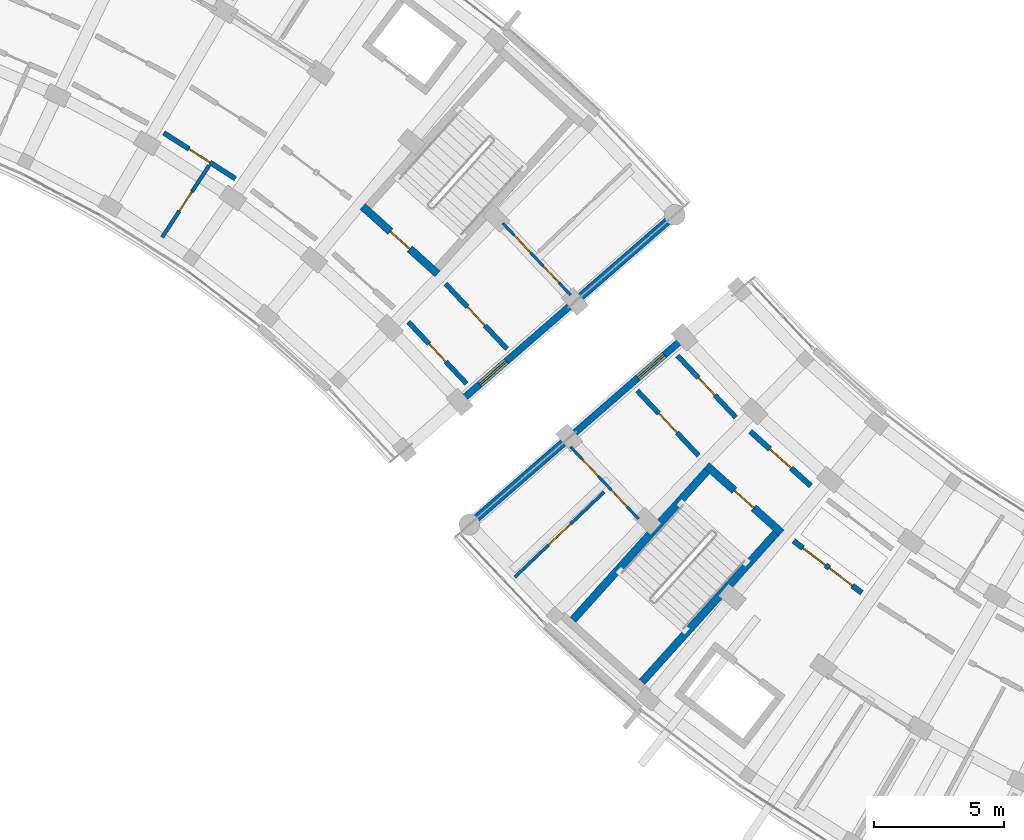
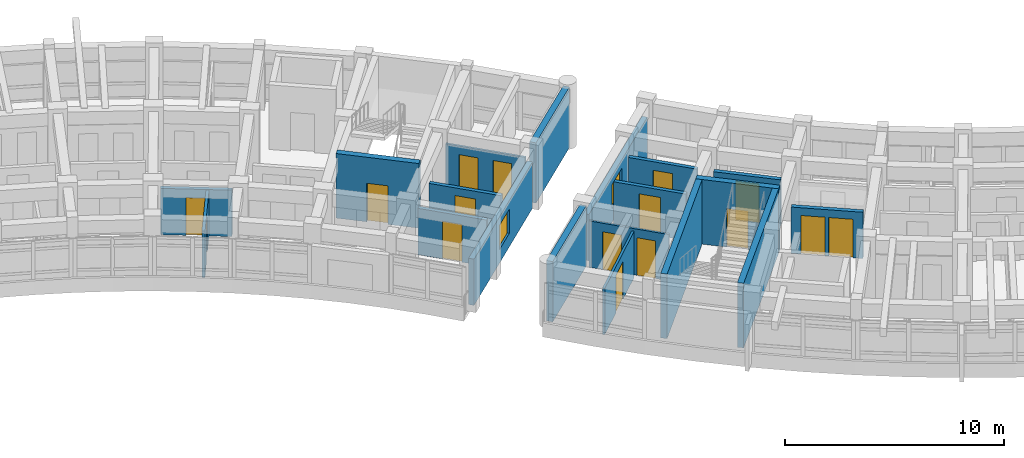
# One storey, part 63 of 83: 19 walls, 16 doors, 2 windows, 18 openings.
"""IFC4 building model written with IfcOpenShell, lengths in metres."""

from ifc_helpers import new_model, si_unit, direction, frame, frame_2d, origin, place, context, subcontext, project, spatial, rectangle, extrude, material, layer, layer_set, type_object, element, fill, save


model = new_model("IFC4")

# Units and contexts
model_context = context("Model", 3, precision=1e-05, world=origin(), true_north=direction((0.0, 1.0)))
body_context = subcontext(model_context, "Body", "Model", "MODEL_VIEW")
ifc_project = project(units=[si_unit("LENGTHUNIT", "METRE"), si_unit("AREAUNIT", "SQUARE_METRE"), si_unit("VOLUMEUNIT", "CUBIC_METRE"), si_unit("PLANEANGLEUNIT", "RADIAN"), si_unit("MASSUNIT", "GRAM", prefix="KILO")], contexts=[model_context])

# Site, building, storey
site_placement = place(None, origin())
site = spatial("IfcSite", under=ifc_project, at=site_placement, CompositionType="ELEMENT")
building_placement = place(site_placement, origin())
building = spatial("IfcBuilding", under=site, at=building_placement, Name="Zimvara Arc Housing Community", CompositionType="ELEMENT")
storey_placement = place(building_placement, frame((0.0, 0.0, 4.5)))
storey = spatial("IfcBuildingStorey", under=building, at=storey_placement, Name="L01", CompositionType="ELEMENT", Elevation=4.5)

# Wall, opening, window
ifc_material_1 = material(Name="Board-Marked Fair-Faced Concrete C35/45", Category="concrete")
ifc_layer_1 = layer(ifc_material_1, 0.264892578125)
ifc_layer_set_1 = layer_set([ifc_layer_1], Name="Board-Marked Fair-Faced Concrete C35/45")
wall_type_1 = type_object("IfcWallType", Name="EWL-CONC-265", PredefinedType="SOLIDWALL", material=ifc_layer_set_1)
wall_1_placement = place(storey_placement, frame((79.233642578125, 74.2587890625, 0.0), z_axis=(0.0, 0.0, 1.0), x_axis=(0.754717680958, 0.656049710044, 0.0)))
wall_1 = element("IfcWall", 1, at=wall_1_placement, inside=storey, type_object=wall_type_1, Name="ewall:blkB:L01:gN", PredefinedType="SOLIDWALL", context=body_context, shape_type="SweptSolid", body=[
    extrude(rectangle(XDim=8.199951171875, YDim=0.264892578125, at=frame_2d((4.10009765625, 0.0))), origin(), (0.0, 0.0, 1.0), 2.580078125),
])
opening_1_placement = place(wall_1_placement, frame((3.590087890625, 0.0, 0.75)))
opening_1 = element("IfcOpeningElement", 2, at=opening_1_placement, cuts=wall_1, Name="Opening W12", PredefinedType="OPENING", context=body_context, shape_type="SweptSolid", body=[
    extrude(rectangle(XDim=1.35009765625, YDim=1.35009765625, at=frame_2d((0.675048828125, 0.675048828125))), frame((0.0, 0.142333984375, 0.0), z_axis=(0.0, -1.0, 0.0), x_axis=(1.0, 0.0, 0.0)), (0.0, 0.0, 1.0), 0.284912109375),
])
ifc_material_2 = material(Name="Solar Control Low-E Double Glazing", Category="glass")
window_type = type_object("IfcWindowType", Name="WIN-RES-1350x1350", PartitioningType="DOUBLE_PANEL_VERTICAL", PredefinedType="WINDOW", material=ifc_material_2)
window_1_placement = place(opening_1_placement, origin())
window_1 = element("IfcWindow", 3, at=window_1_placement, inside=storey, type_object=window_type, Name="win:blkB:L01:gN:w", OverallHeight=1.35009765625, OverallWidth=1.35009765625, PartitioningType="DOUBLE_PANEL_VERTICAL", PredefinedType="WINDOW", context=body_context, shape_type="SweptSolid", body=[
    extrude(rectangle(XDim=1.35009765625, YDim=1.35009765625, at=frame_2d((0.675048828125, 0.675048828125))), frame((0.0, 0.030029296875, 0.0), z_axis=(0.0, -1.0, 0.0), x_axis=(1.0, 0.0, 0.0)), (0.0, 0.0, 1.0), 0.06005859375),
])
fill(opening_1, window_1)

wall_2_placement = place(storey_placement, frame((91.746337890625, 80.10107421875, 0.0), z_axis=(0.0, 0.0, 1.0), x_axis=(-0.754704866158, -0.656064451862, 0.0)))
wall_2 = element("IfcWall", 4, at=wall_2_placement, inside=storey, type_object=wall_type_1, Name="ewall:blkC:L01:g0", PredefinedType="SOLIDWALL", context=body_context, shape_type="SweptSolid", body=[
    extrude(rectangle(XDim=8.199951171875, YDim=0.264892578125, at=frame_2d((4.10009765625, 0.0))), origin(), (0.0, 0.0, 1.0), 2.580078125),
])
opening_2_placement = place(wall_2_placement, frame((3.590087890625, 0.0, 0.75)))
opening_2 = element("IfcOpeningElement", 5, at=opening_2_placement, cuts=wall_2, Name="Opening W12", PredefinedType="OPENING", context=body_context, shape_type="SweptSolid", body=[
    extrude(rectangle(XDim=1.35009765625, YDim=1.35009765625, at=frame_2d((0.675048828125, 0.675048828125))), frame((0.0, 0.142333984375, 0.0), z_axis=(0.0, -1.0, 0.0), x_axis=(1.0, 0.0, 0.0)), (0.0, 0.0, 1.0), 0.284912109375),
])
window_2_placement = place(opening_2_placement, origin())
window_2 = element("IfcWindow", 6, at=window_2_placement, inside=storey, type_object=window_type, Name="win:blkC:L01:g0:w", OverallHeight=1.35009765625, OverallWidth=1.35009765625, PartitioningType="DOUBLE_PANEL_VERTICAL", PredefinedType="WINDOW", context=body_context, shape_type="SweptSolid", body=[
    extrude(rectangle(XDim=1.35009765625, YDim=1.35009765625, at=frame_2d((0.675048828125, 0.675048828125))), frame((0.0, 0.030029296875, 0.0), z_axis=(0.0, -1.0, 0.0), x_axis=(1.0, 0.0, 0.0)), (0.0, 0.0, 1.0), 0.06005859375),
])
fill(opening_2, window_2)

# Wall, opening, door
ifc_material_3 = material(Name="Concrete C35/45", Category="concrete")
ifc_layer_2 = layer(ifc_material_3, 0.2099609375)
ifc_layer_set_2 = layer_set([ifc_layer_2], Name="Concrete C35/45")
wall_type_2 = type_object("IfcWallType", Name="IWL-CCF-210", PredefinedType="SOLIDWALL", material=ifc_layer_set_2)
wall_3_placement = place(storey_placement, frame((92.337158203125, 74.808349609375, 0.0), z_axis=(0.0, 0.0, 1.0), x_axis=(0.743348465558, -0.668904371904, 0.0)))
wall_3 = element("IfcWall", 7, at=wall_3_placement, inside=storey, type_object=wall_type_2, Name="iwall:blkC:L01:ccf_div:b1", PredefinedType="SOLIDWALL", context=body_context, shape_type="SweptSolid", body=[
    extrude(rectangle(XDim=3.128662109375, YDim=0.2099609375, at=frame_2d((1.564453125, 0.0))), origin(), (0.0, 0.0, 1.0), 2.580078125),
])
opening_3_placement = place(wall_3_placement, frame((1.014404296875, 0.0, 0.0)))
opening_3 = element("IfcOpeningElement", 8, at=opening_3_placement, cuts=wall_3, Name="Opening FD-CCF1", PredefinedType="OPENING", context=body_context, shape_type="SweptSolid", body=[
    extrude(rectangle(XDim=1.10009765625, YDim=2.14990234375, at=frame_2d((0.550048828125, 1.074951171875))), frame((0.0, 0.114990234375, 0.0), z_axis=(0.0, -1.0, 0.0), x_axis=(1.0, 0.0, 0.0)), (0.0, 0.0, 1.0), 0.22998046875),
])
ifc_material_4 = material(Name="Anodised Aluminium AW-6063", Category="aluminium")
door_type_1 = type_object("IfcDoorType", Name="IDR-CCF-1100x2150", OperationType="NOTDEFINED", PredefinedType="DOOR", material=ifc_material_4)
door_1_placement = place(opening_3_placement, origin())
door_1 = element("IfcDoor", 9, at=door_1_placement, inside=storey, type_object=door_type_1, Name="idoor:blkC:L01:ccf_in:b1", OperationType="SINGLE_SWING_RIGHT", OverallHeight=2.14990234375, OverallWidth=1.10009765625, PredefinedType="DOOR", context=body_context, shape_type="SweptSolid", body=[
    extrude(rectangle(XDim=1.10009765625, YDim=2.14990234375, at=frame_2d((0.550048828125, 1.074951171875))), frame((0.0, 0.02490234375, 0.0), z_axis=(0.0, -1.0, 0.0), x_axis=(1.0, 0.0, 0.0)), (0.0, 0.0, 1.0), 0.050048828125),
])
fill(opening_3, door_1)

# Wall, openings, doors
wall_4_placement = place(storey_placement, frame((94.001220703125, 70.6015625, 0.0), z_axis=(0.0, 0.0, 1.0), x_axis=(0.795498026433, -0.605956178235, 0.0)))
wall_4 = element("IfcWall", 10, at=wall_4_placement, inside=storey, type_object=wall_type_2, Name="iwall:blkC:L01:ll_div:b2", PredefinedType="SOLIDWALL", context=body_context, shape_type="SweptSolid", body=[
    extrude(rectangle(XDim=3.296142578125, YDim=0.2099609375, at=frame_2d((1.64794921875, 0.0))), origin(), (0.0, 0.0, 1.0), 2.580078125),
])
opening_4_placement = place(wall_4_placement, frame((0.449951171875, 0.0, 0.0)))
opening_4 = element("IfcOpeningElement", 11, at=opening_4_placement, cuts=wall_4, Name="Opening FD-CCF1", PredefinedType="OPENING", context=body_context, shape_type="SweptSolid", body=[
    extrude(rectangle(XDim=1.10009765625, YDim=2.14990234375, at=frame_2d((0.550048828125, 1.074951171875))), frame((0.0, 0.114990234375, 0.0), z_axis=(0.0, -1.0, 0.0), x_axis=(1.0, 0.0, 0.0)), (0.0, 0.0, 1.0), 0.22998046875),
])
opening_5_placement = place(wall_4_placement, frame((1.72607421875, 0.0, 0.0)))
opening_5 = element("IfcOpeningElement", 12, at=opening_5_placement, cuts=wall_4, Name="Opening D07", PredefinedType="OPENING", context=body_context, shape_type="SweptSolid", body=[
    extrude(rectangle(XDim=1.1201171875, YDim=2.14990234375, at=frame_2d((0.56005859375, 1.074951171875))), frame((0.0, 0.114990234375, 0.0), z_axis=(0.0, -1.0, 0.0), x_axis=(1.0, 0.0, 0.0)), (0.0, 0.0, 1.0), 0.22998046875),
])
ifc_material_5 = material(Name="Mozambican Hardwood", Category="wood")
door_type_2 = type_object("IfcDoorType", Name="IDR-AMN-1120x2150", OperationType="NOTDEFINED", PredefinedType="DOOR", material=ifc_material_5)
door_2_placement = place(opening_5_placement, origin())
door_2 = element("IfcDoor", 13, at=door_2_placement, inside=storey, type_object=door_type_2, Name="idoor:blkC:L01:rs_in:b2", OperationType="SINGLE_SWING_RIGHT", OverallHeight=2.14990234375, OverallWidth=1.1201171875, PredefinedType="DOOR", context=body_context, shape_type="SweptSolid", body=[
    extrude(rectangle(XDim=1.1201171875, YDim=2.14990234375, at=frame_2d((0.56005859375, 1.074951171875))), frame((0.0, 0.02490234375, 0.0), z_axis=(0.0, -1.0, 0.0), x_axis=(1.0, 0.0, 0.0)), (0.0, 0.0, 1.0), 0.050048828125),
])
fill(opening_5, door_2)
door_3_placement = place(opening_4_placement, origin())
door_3 = element("IfcDoor", 14, at=door_3_placement, inside=storey, type_object=door_type_1, Name="idoor:blkC:L01:ll_in:b2", OperationType="SINGLE_SWING_LEFT", OverallHeight=2.14990234375, OverallWidth=1.10009765625, PredefinedType="DOOR", context=body_context, shape_type="SweptSolid", body=[
    extrude(rectangle(XDim=1.10009765625, YDim=2.14990234375, at=frame_2d((0.550048828125, 1.074951171875))), frame((0.0, 0.02490234375, 0.0), z_axis=(0.0, -1.0, 0.0), x_axis=(1.0, 0.0, 0.0)), (0.0, 0.0, 1.0), 0.050048828125),
])
fill(opening_4, door_3)

# Wall, opening, door
ifc_material_6 = material(Name="Concrete C35/45", Category="concrete")
ifc_layer_3 = layer(ifc_material_6, 0.18994140625)
ifc_layer_set_3 = layer_set([ifc_layer_3], Name="Concrete C35/45")
wall_type_3 = type_object("IfcWallType", Name="IWL-CORR-190", PredefinedType="SOLIDWALL", material=ifc_layer_set_3)
wall_5_placement = place(storey_placement, frame((69.80029296875, 86.281005859375, 0.0), z_axis=(0.0, 0.0, 1.0), x_axis=(0.842225276846, -0.539125758095, 0.0)))
wall_5 = element("IfcWall", 15, at=wall_5_placement, inside=storey, type_object=wall_type_3, Name="iwall:blkB:L01:corr_in:b6", PredefinedType="SOLIDWALL", context=body_context, shape_type="SweptSolid", body=[
    extrude(rectangle(XDim=3.2685546875, YDim=0.18994140625, at=frame_2d((1.63427734375, 0.0))), origin(), (0.0, 0.0, 1.0), 2.580078125),
])
opening_6_placement = place(wall_5_placement, frame((1.154296875, 0.0, 0.0)))
opening_6 = element("IfcOpeningElement", 16, at=opening_6_placement, cuts=wall_5, Name="Opening D04", PredefinedType="OPENING", context=body_context, shape_type="SweptSolid", body=[
    extrude(rectangle(XDim=0.9599609375, YDim=2.10009765625, at=frame_2d((0.47998046875, 1.050048828125))), frame((0.0, 0.10498046875, 0.0), z_axis=(0.0, -1.0, 0.0), x_axis=(1.0, 0.0, 0.0)), (0.0, 0.0, 1.0), 0.2099609375),
])
ifc_material_7 = material(Name="Mozambican Hardwood", Category="wood")
door_type_3 = type_object("IfcDoorType", Name="IDR-RM-0960x2100", OperationType="NOTDEFINED", PredefinedType="DOOR", material=ifc_material_7)
door_4_placement = place(opening_6_placement, origin())
door_4 = element("IfcDoor", 17, at=door_4_placement, inside=storey, type_object=door_type_3, Name="idoor:blkB:L01:in_rm:b6", OperationType="SINGLE_SWING_LEFT", OverallHeight=2.10009765625, OverallWidth=0.9599609375, PredefinedType="DOOR", context=body_context, shape_type="SweptSolid", body=[
    extrude(rectangle(XDim=0.9599609375, YDim=2.10009765625, at=frame_2d((0.47998046875, 1.050048828125))), frame((0.0, 0.02490234375, 0.0), z_axis=(0.0, -1.0, 0.0), x_axis=(1.0, 0.0, 0.0)), (0.0, 0.0, 1.0), 0.050048828125),
])
fill(opening_6, door_4)

wall_6_placement = place(storey_placement, frame((80.627685546875, 80.48291015625, 0.0), z_axis=(0.0, 0.0, 1.0), x_axis=(0.686310507227, -0.727308660522, 0.0)))
wall_6 = element("IfcWall", 18, at=wall_6_placement, inside=storey, type_object=wall_type_3, Name="iwall:blkB:L01:corr_out:b9", PredefinedType="SOLIDWALL", context=body_context, shape_type="SweptSolid", body=[
    extrude(rectangle(XDim=3.43603515625, YDim=0.18994140625, at=frame_2d((1.718017578125, 0.0))), origin(), (0.0, 0.0, 1.0), 2.580078125),
])
opening_7_placement = place(wall_6_placement, frame((1.22802734375, 0.0, 0.0)))
opening_7 = element("IfcOpeningElement", 19, at=opening_7_placement, cuts=wall_6, Name="Opening FD-FL1", PredefinedType="OPENING", context=body_context, shape_type="SweptSolid", body=[
    extrude(rectangle(XDim=0.97998046875, YDim=2.14990234375, at=frame_2d((0.489990234375, 1.074951171875))), frame((0.0, 0.10498046875, 0.0), z_axis=(0.0, -1.0, 0.0), x_axis=(1.0, 0.0, 0.0)), (0.0, 0.0, 1.0), 0.2099609375),
])
ifc_material_8 = material(Name="Mozambican Hardwood", Category="wood")
door_type_4 = type_object("IfcDoorType", Name="IDR-FLAT-0980x2150", OperationType="NOTDEFINED", PredefinedType="DOOR", material=ifc_material_8)
door_5_placement = place(opening_7_placement, origin())
door_5 = element("IfcDoor", 20, at=door_5_placement, inside=storey, type_object=door_type_4, Name="idoor:blkB:L01:flat:b9", OperationType="SINGLE_SWING_RIGHT", OverallHeight=2.14990234375, OverallWidth=0.97998046875, PredefinedType="DOOR", context=body_context, shape_type="SweptSolid", body=[
    extrude(rectangle(XDim=0.97998046875, YDim=2.14990234375, at=frame_2d((0.489990234375, 1.074951171875))), frame((0.0, 0.02490234375, 0.0), z_axis=(0.0, -1.0, 0.0), x_axis=(1.0, 0.0, 0.0)), (0.0, 0.0, 1.0), 0.050048828125),
])
fill(opening_7, door_5)

wall_7_placement = place(storey_placement, frame((79.1953125, 79.016357421875, 0.0), z_axis=(0.0, 0.0, 1.0), x_axis=(0.686307658735, -0.727311348434, 0.0)))
wall_7 = element("IfcWall", 21, at=wall_7_placement, inside=storey, type_object=wall_type_3, Name="iwall:blkB:L01:corr_in:b9", PredefinedType="SOLIDWALL", context=body_context, shape_type="SweptSolid", body=[
    extrude(rectangle(XDim=3.268798828125, YDim=0.18994140625, at=frame_2d((1.63427734375, 0.0))), origin(), (0.0, 0.0, 1.0), 2.580078125),
])
opening_8_placement = place(wall_7_placement, frame((1.164306640625, 0.0, 0.0)))
opening_8 = element("IfcOpeningElement", 22, at=opening_8_placement, cuts=wall_7, Name="Opening D03", PredefinedType="OPENING", context=body_context, shape_type="SweptSolid", body=[
    extrude(rectangle(XDim=0.93994140625, YDim=2.10009765625, at=frame_2d((0.469970703125, 1.050048828125))), frame((0.0, 0.10498046875, 0.0), z_axis=(0.0, -1.0, 0.0), x_axis=(1.0, 0.0, 0.0)), (0.0, 0.0, 1.0), 0.2099609375),
])
ifc_material_9 = material(Name="Mozambican Hardwood", Category="wood")
door_type_5 = type_object("IfcDoorType", Name="IDR-RM-0940x2100", OperationType="NOTDEFINED", PredefinedType="DOOR", material=ifc_material_9)
door_6_placement = place(opening_8_placement, origin())
door_6 = element("IfcDoor", 23, at=door_6_placement, inside=storey, type_object=door_type_5, Name="idoor:blkB:L01:in_rm:b9", OperationType="SINGLE_SWING_LEFT", OverallHeight=2.10009765625, OverallWidth=0.93994140625, PredefinedType="DOOR", context=body_context, shape_type="SweptSolid", body=[
    extrude(rectangle(XDim=0.93994140625, YDim=2.10009765625, at=frame_2d((0.469970703125, 1.050048828125))), frame((0.0, 0.02490234375, 0.0), z_axis=(0.0, -1.0, 0.0), x_axis=(1.0, 0.0, 0.0)), (0.0, 0.0, 1.0), 0.050048828125),
])
fill(opening_8, door_6)

wall_8_placement = place(storey_placement, frame((87.994140625, 76.3759765625, 0.0), z_axis=(0.0, 0.0, 1.0), x_axis=(0.686310507227, -0.727308660522, 0.0)))
wall_8 = element("IfcWall", 24, at=wall_8_placement, inside=storey, type_object=wall_type_3, Name="iwall:blkC:L01:corr_out:b0", PredefinedType="SOLIDWALL", context=body_context, shape_type="SweptSolid", body=[
    extrude(rectangle(XDim=3.43603515625, YDim=0.18994140625, at=frame_2d((1.718017578125, 0.0))), origin(), (0.0, 0.0, 1.0), 2.580078125),
])
opening_9_placement = place(wall_8_placement, frame((1.2080078125, 0.0, 0.0)))
opening_9 = element("IfcOpeningElement", 25, at=opening_9_placement, cuts=wall_8, Name="Opening FD-FL2", PredefinedType="OPENING", context=body_context, shape_type="SweptSolid", body=[
    extrude(rectangle(XDim=1.02001953125, YDim=2.14990234375, at=frame_2d((0.510009765625, 1.074951171875))), frame((0.0, 0.10498046875, 0.0), z_axis=(0.0, -1.0, 0.0), x_axis=(1.0, 0.0, 0.0)), (0.0, 0.0, 1.0), 0.2099609375),
])
ifc_material_10 = material(Name="Mozambican Hardwood", Category="wood")
door_type_6 = type_object("IfcDoorType", Name="IDR-FLAT-1020x2150", OperationType="NOTDEFINED", PredefinedType="DOOR", material=ifc_material_10)
door_7_placement = place(opening_9_placement, origin())
door_7 = element("IfcDoor", 26, at=door_7_placement, inside=storey, type_object=door_type_6, Name="idoor:blkC:L01:flat:b0", OperationType="SINGLE_SWING_LEFT", OverallHeight=2.14990234375, OverallWidth=1.02001953125, PredefinedType="DOOR", context=body_context, shape_type="SweptSolid", body=[
    extrude(rectangle(XDim=1.02001953125, YDim=2.14990234375, at=frame_2d((0.510009765625, 1.074951171875))), frame((0.0, 0.02490234375, 0.0), z_axis=(0.0, -1.0, 0.0), x_axis=(1.0, 0.0, 0.0)), (0.0, 0.0, 1.0), 0.050048828125),
])
fill(opening_9, door_7)

wall_9_placement = place(storey_placement, frame((89.541259765625, 77.720947265625, 0.0), z_axis=(0.0, 0.0, 1.0), x_axis=(0.686344941052, -0.727276166179, 0.0)))
wall_9 = element("IfcWall", 27, at=wall_9_placement, inside=storey, type_object=wall_type_3, Name="iwall:blkC:L01:corr_in:b0", PredefinedType="SOLIDWALL", context=body_context, shape_type="SweptSolid", body=[
    extrude(rectangle(XDim=3.2685546875, YDim=0.18994140625, at=frame_2d((1.63427734375, 0.0))), origin(), (0.0, 0.0, 1.0), 2.580078125),
])
opening_10_placement = place(wall_9_placement, frame((1.17431640625, 0.0, 0.0)))
opening_10 = element("IfcOpeningElement", 28, at=opening_10_placement, cuts=wall_9, Name="Opening D02", PredefinedType="OPENING", context=body_context, shape_type="SweptSolid", body=[
    extrude(rectangle(XDim=0.919921875, YDim=2.10009765625, at=frame_2d((0.4599609375, 1.050048828125))), frame((0.0, 0.10498046875, 0.0), z_axis=(0.0, -1.0, 0.0), x_axis=(1.0, 0.0, 0.0)), (0.0, 0.0, 1.0), 0.2099609375),
])
ifc_material_11 = material(Name="Mozambican Hardwood", Category="wood")
door_type_7 = type_object("IfcDoorType", Name="IDR-RM-0920x2100", OperationType="NOTDEFINED", PredefinedType="DOOR", material=ifc_material_11)
door_8_placement = place(opening_10_placement, origin())
door_8 = element("IfcDoor", 29, at=door_8_placement, inside=storey, type_object=door_type_7, Name="idoor:blkC:L01:in_rm:b0", OperationType="SINGLE_SWING_RIGHT", OverallHeight=2.10009765625, OverallWidth=0.919921875, PredefinedType="DOOR", context=body_context, shape_type="SweptSolid", body=[
    extrude(rectangle(XDim=0.919921875, YDim=2.10009765625, at=frame_2d((0.4599609375, 1.050048828125))), frame((0.0, 0.02490234375, 0.0), z_axis=(0.0, -1.0, 0.0), x_axis=(1.0, 0.0, 0.0)), (0.0, 0.0, 1.0), 0.050048828125),
])
fill(opening_10, door_8)

# Wall, openings, doors
ifc_material_12 = material(Name="Painted Acoustic Plasterboard")
ifc_layer_4 = layer(ifc_material_12, 0.10498046875)
ifc_layer_set_4 = layer_set([ifc_layer_4], Name="Painted Acoustic Plasterboard")
wall_type_4 = type_object("IfcWallType", Name="IWL-PART-105", PredefinedType="PARTITIONING", material=ifc_layer_set_4)
wall_10_placement = place(storey_placement, frame((82.8291015625, 82.808837890625, 0.0), z_axis=(0.0, 0.0, 1.0), x_axis=(0.686300649561, -0.727317962388, 0.0)))
wall_10 = element("IfcWall", 30, at=wall_10_placement, inside=storey, type_object=wall_type_4, Name="iwall:blkB:L01:srv:b9", PredefinedType="PARTITIONING", context=body_context, shape_type="SweptSolid", body=[
    extrude(rectangle(XDim=3.79736328125, YDim=0.10498046875, at=frame_2d((1.898681640625, 0.0))), origin(), (0.0, 0.0, 1.0), 2.580078125),
])
opening_11_placement = place(wall_10_placement, frame((0.64990234375, 0.0, 0.0)))
opening_11 = element("IfcOpeningElement", 31, at=opening_11_placement, cuts=wall_10, Name="Opening D01", PredefinedType="OPENING", context=body_context, shape_type="SweptSolid", body=[
    extrude(rectangle(XDim=0.89990234375, YDim=2.10009765625, at=frame_2d((0.449951171875, 1.050048828125))), frame((0.0, 0.0625, 0.0), z_axis=(0.0, -1.0, 0.0), x_axis=(1.0, 0.0, 0.0)), (0.0, 0.0, 1.0), 0.125),
])
opening_12_placement = place(wall_10_placement, frame((2.267333984375, 0.0, 0.0)))
opening_12 = element("IfcOpeningElement", 32, at=opening_12_placement, cuts=wall_10, Name="Opening D05", PredefinedType="OPENING", context=body_context, shape_type="SweptSolid", body=[
    extrude(rectangle(XDim=0.8798828125, YDim=2.10009765625, at=frame_2d((0.43994140625, 1.050048828125))), frame((0.0, 0.0625, 0.0), z_axis=(0.0, -1.0, 0.0), x_axis=(1.0, 0.0, 0.0)), (0.0, 0.0, 1.0), 0.125),
])
ifc_material_13 = material(Name="Mozambican Hardwood", Category="wood")
door_type_8 = type_object("IfcDoorType", Name="IDR-RM-0900x2100", OperationType="NOTDEFINED", PredefinedType="DOOR", material=ifc_material_13)
door_9_placement = place(opening_11_placement, origin())
door_9 = element("IfcDoor", 33, at=door_9_placement, inside=storey, type_object=door_type_8, Name="idoor:blkB:L01:kit_liv:b9", OperationType="SINGLE_SWING_RIGHT", OverallHeight=2.10009765625, OverallWidth=0.89990234375, PredefinedType="DOOR", context=body_context, shape_type="SweptSolid", body=[
    extrude(rectangle(XDim=0.89990234375, YDim=2.10009765625, at=frame_2d((0.449951171875, 1.050048828125))), frame((0.0, 0.02490234375, 0.0), z_axis=(0.0, -1.0, 0.0), x_axis=(1.0, 0.0, 0.0)), (0.0, 0.0, 1.0), 0.050048828125),
])
fill(opening_11, door_9)
ifc_material_14 = material(Name="Mozambican Hardwood", Category="wood")
door_type_9 = type_object("IfcDoorType", Name="IDR-WC-0880x2100", OperationType="NOTDEFINED", PredefinedType="DOOR", material=ifc_material_14)
door_10_placement = place(opening_12_placement, origin())
door_10 = element("IfcDoor", 34, at=door_10_placement, inside=storey, type_object=door_type_9, Name="idoor:blkB:L01:bath_d:b9", OperationType="SINGLE_SWING_LEFT", OverallHeight=2.10009765625, OverallWidth=0.8798828125, PredefinedType="DOOR", context=body_context, shape_type="SweptSolid", body=[
    extrude(rectangle(XDim=0.8798828125, YDim=2.10009765625, at=frame_2d((0.43994140625, 1.050048828125))), frame((0.0, 0.02490234375, 0.0), z_axis=(0.0, -1.0, 0.0), x_axis=(1.0, 0.0, 0.0)), (0.0, 0.0, 1.0), 0.050048828125),
])
fill(opening_12, door_10)

wall_11_placement = place(storey_placement, frame((85.431640625, 74.214599609375, 0.0), z_axis=(0.0, 0.0, 1.0), x_axis=(0.686301674417, -0.727316995327, 0.0)))
wall_11 = element("IfcWall", 35, at=wall_11_placement, inside=storey, type_object=wall_type_4, Name="iwall:blkC:L01:srv:b0", PredefinedType="PARTITIONING", context=body_context, shape_type="SweptSolid", body=[
    extrude(rectangle(XDim=3.8095703125, YDim=0.10498046875, at=frame_2d((1.90478515625, 0.0))), origin(), (0.0, 0.0, 1.0), 2.580078125),
])
opening_13_placement = place(wall_11_placement, frame((0.64990234375, 0.0, 0.0)))
opening_13 = element("IfcOpeningElement", 36, at=opening_13_placement, cuts=wall_11, Name="Opening D01", PredefinedType="OPENING", context=body_context, shape_type="SweptSolid", body=[
    extrude(rectangle(XDim=0.89990234375, YDim=2.10009765625, at=frame_2d((0.449951171875, 1.050048828125))), frame((0.0, 0.0625, 0.0), z_axis=(0.0, -1.0, 0.0), x_axis=(1.0, 0.0, 0.0)), (0.0, 0.0, 1.0), 0.125),
])
opening_14_placement = place(wall_11_placement, frame((2.279541015625, 0.0, 0.0)))
opening_14 = element("IfcOpeningElement", 37, at=opening_14_placement, cuts=wall_11, Name="Opening D05", PredefinedType="OPENING", context=body_context, shape_type="SweptSolid", body=[
    extrude(rectangle(XDim=0.8798828125, YDim=2.10009765625, at=frame_2d((0.43994140625, 1.050048828125))), frame((0.0, 0.0625, 0.0), z_axis=(0.0, -1.0, 0.0), x_axis=(1.0, 0.0, 0.0)), (0.0, 0.0, 1.0), 0.125),
])
door_11_placement = place(opening_13_placement, origin())
door_11 = element("IfcDoor", 38, at=door_11_placement, inside=storey, type_object=door_type_8, Name="idoor:blkC:L01:kit_liv:b0", OperationType="SINGLE_SWING_LEFT", OverallHeight=2.10009765625, OverallWidth=0.89990234375, PredefinedType="DOOR", context=body_context, shape_type="SweptSolid", body=[
    extrude(rectangle(XDim=0.89990234375, YDim=2.10009765625, at=frame_2d((0.449951171875, 1.050048828125))), frame((0.0, 0.02490234375, 0.0), z_axis=(0.0, -1.0, 0.0), x_axis=(1.0, 0.0, 0.0)), (0.0, 0.0, 1.0), 0.050048828125),
])
fill(opening_13, door_11)
door_12_placement = place(opening_14_placement, origin())
door_12 = element("IfcDoor", 39, at=door_12_placement, inside=storey, type_object=door_type_9, Name="idoor:blkC:L01:bath_d:b0", OperationType="SINGLE_SWING_RIGHT", OverallHeight=2.10009765625, OverallWidth=0.8798828125, PredefinedType="DOOR", context=body_context, shape_type="SweptSolid", body=[
    extrude(rectangle(XDim=0.8798828125, YDim=2.10009765625, at=frame_2d((0.43994140625, 1.050048828125))), frame((0.0, 0.02490234375, 0.0), z_axis=(0.0, -1.0, 0.0), x_axis=(1.0, 0.0, 0.0)), (0.0, 0.0, 1.0), 0.050048828125),
])
fill(opening_14, door_12)

# Wall, opening, door
ifc_material_15 = material(Name="Painted Acoustic Plasterboard")
ifc_layer_5 = layer(ifc_material_15, 0.1201171875)
ifc_layer_set_5 = layer_set([ifc_layer_5], Name="Painted Acoustic Plasterboard")
wall_type_5 = type_object("IfcWallType", Name="IWL-PART-120", PredefinedType="PARTITIONING", material=ifc_layer_set_5)
wall_12_placement = place(storey_placement, frame((86.729248046875, 72.483154296875, 0.0), z_axis=(0.0, 0.0, 1.0), x_axis=(-0.72416604425, -0.689625652332, 0.0)))
wall_12 = element("IfcWall", 40, at=wall_12_placement, inside=storey, type_object=wall_type_5, Name="iwall:blkC:L01:bed_div:b0", PredefinedType="PARTITIONING", context=body_context, shape_type="SweptSolid", body=[
    extrude(rectangle(XDim=4.749755859375, YDim=0.1201171875, at=frame_2d((2.375, 0.0))), origin(), (0.0, 0.0, 1.0), 2.580078125),
])
opening_15_placement = place(wall_12_placement, frame((1.784912109375, 0.0, 0.0)))
opening_15 = element("IfcOpeningElement", 41, at=opening_15_placement, cuts=wall_12, Name="Opening D18", PredefinedType="OPENING", context=body_context, shape_type="SweptSolid", body=[
    extrude(rectangle(XDim=1.179931640625, YDim=2.10009765625, at=frame_2d((0.58984375, 1.050048828125))), frame((0.0, 0.070068359375, 0.0), z_axis=(0.0, -1.0, 0.0), x_axis=(1.0, 0.0, 0.0)), (0.0, 0.0, 1.0), 0.14013671875),
])
ifc_material_16 = material(Name="Mozambican Hardwood", Category="wood")
door_type_10 = type_object("IfcDoorType", Name="IDR-MOD-1180x2120", OperationType="NOTDEFINED", PredefinedType="DOOR", material=ifc_material_16)
door_13_placement = place(opening_15_placement, origin())
door_13 = element("IfcDoor", 42, at=door_13_placement, inside=storey, type_object=door_type_10, Name="idoor:blkC:L01:bed_d:b0", OperationType="SINGLE_SWING_LEFT", OverallHeight=2.10009765625, OverallWidth=1.179931640625, PredefinedType="DOOR", context=body_context, shape_type="SweptSolid", body=[
    extrude(rectangle(XDim=1.179931640625, YDim=2.10009765625, at=frame_2d((0.58984375, 1.050048828125))), frame((0.0, 0.02490234375, 0.0), z_axis=(0.0, -1.0, 0.0), x_axis=(1.0, 0.0, 0.0)), (0.0, 0.0, 1.0), 0.050048828125),
])
fill(opening_15, door_13)

ifc_material_17 = material(Name="Painted Acoustic Plasterboard")
ifc_layer_6 = layer(ifc_material_17, 0.14501953125)
ifc_layer_set_6 = layer_set([ifc_layer_6], Name="Painted Acoustic Plasterboard")
wall_type_6 = type_object("IfcWallType", Name="IWL-WET-145", PredefinedType="PARTITIONING", material=ifc_layer_set_6)
wall_13_placement = place(storey_placement, frame((69.73876953125, 82.269287109375, 0.0), z_axis=(0.0, 0.0, 1.0), x_axis=(0.547920940513, 0.836530120765, 0.0)))
wall_13 = element("IfcWall", 43, at=wall_13_placement, inside=storey, type_object=wall_type_6, Name="iwall:blkB:L01:ens:b6", PredefinedType="PARTITIONING", context=body_context, shape_type="SweptSolid", body=[
    extrude(rectangle(XDim=3.300048828125, YDim=0.14501953125, at=frame_2d((1.64990234375, 0.0))), origin(), (0.0, 0.0, 1.0), 2.580078125),
])
opening_16_placement = place(wall_13_placement, frame((1.2099609375, 0.0, 0.0)))
opening_16 = element("IfcOpeningElement", 44, at=opening_16_placement, cuts=wall_13, Name="Opening D05", PredefinedType="OPENING", context=body_context, shape_type="SweptSolid", body=[
    extrude(rectangle(XDim=0.8798828125, YDim=2.10009765625, at=frame_2d((0.43994140625, 1.050048828125))), frame((0.0, 0.08251953125, 0.0), z_axis=(0.0, -1.0, 0.0), x_axis=(1.0, 0.0, 0.0)), (0.0, 0.0, 1.0), 0.1650390625),
])
door_14_placement = place(opening_16_placement, origin())
door_14 = element("IfcDoor", 45, at=door_14_placement, inside=storey, type_object=door_type_9, Name="idoor:blkB:L01:ens_d:b6", OperationType="SINGLE_SWING_RIGHT", OverallHeight=2.10009765625, OverallWidth=0.8798828125, PredefinedType="DOOR", context=body_context, shape_type="SweptSolid", body=[
    extrude(rectangle(XDim=0.8798828125, YDim=2.10009765625, at=frame_2d((0.43994140625, 1.050048828125))), frame((0.0, 0.02490234375, 0.0), z_axis=(0.0, -1.0, 0.0), x_axis=(1.0, 0.0, 0.0)), (0.0, 0.0, 1.0), 0.050048828125),
])
fill(opening_16, door_14)

ifc_material_18 = material(Name="Concrete C40/50", Category="concrete")
ifc_layer_7 = layer(ifc_material_18, 0.300048828125)
ifc_layer_set_7 = layer_set([ifc_layer_7], Name="Concrete C40/50")
wall_type_7 = type_object("IfcWallType", Name="WL-CORE-300", PredefinedType="SHEAR", material=ifc_layer_set_7)
wall_14_placement = place(storey_placement, frame((80.320068359375, 80.861572265625, 0.0), z_axis=(0.0, 0.0, 1.0), x_axis=(-0.743375696158, 0.668874109501, 0.0)))
wall_14 = element("IfcWall", 46, at=wall_14_placement, inside=storey, type_object=wall_type_7, Name="cwall:ST-B2:L01:near", PredefinedType="SHEAR", context=body_context, shape_type="SweptSolid", body=[
    extrude(rectangle(XDim=3.8701171875, YDim=0.300048828125, at=frame_2d((1.93505859375, 0.0))), origin(), (0.0, 0.0, 1.0), 3.60009765625),
])
opening_17_placement = place(wall_14_placement, frame((1.43505859375, 0.0, 0.0)))
opening_17 = element("IfcOpeningElement", 47, at=opening_17_placement, cuts=wall_14, Name="Opening FD-ST1", PredefinedType="OPENING", context=body_context, shape_type="SweptSolid", body=[
    extrude(rectangle(XDim=1.0, YDim=2.14990234375, at=frame_2d((0.5, 1.074951171875))), frame((0.0, 0.159912109375, 0.0), z_axis=(0.0, -1.0, 0.0), x_axis=(1.0, 0.0, 0.0)), (0.0, 0.0, 1.0), 0.320068359375),
])
ifc_material_19 = material(Name="Anodised Aluminium AW-6063", Category="aluminium")
door_type_11 = type_object("IfcDoorType", Name="IDR-ST-1000x2150", OperationType="NOTDEFINED", PredefinedType="DOOR", material=ifc_material_19)
door_15_placement = place(opening_17_placement, origin())
door_15 = element("IfcDoor", 48, at=door_15_placement, inside=storey, type_object=door_type_11, Name="idoor:ST-B2:L01:entry", OperationType="SINGLE_SWING_LEFT", OverallHeight=2.14990234375, OverallWidth=1.0, PredefinedType="DOOR", context=body_context, shape_type="SweptSolid", body=[
    extrude(rectangle(XDim=1.0, YDim=2.14990234375, at=frame_2d((0.5, 1.074951171875))), frame((0.0, 0.02490234375, 0.0), z_axis=(0.0, -1.0, 0.0), x_axis=(1.0, 0.0, 0.0)), (0.0, 0.0, 1.0), 0.050048828125),
])
fill(opening_17, door_15)

wall_15_placement = place(storey_placement, frame((90.659912109375, 73.49853515625, 0.0), z_axis=(0.0, 0.0, 1.0), x_axis=(0.743375696158, -0.668874109501, 0.0)))
wall_15 = element("IfcWall", 49, at=wall_15_placement, inside=storey, type_object=wall_type_7, Name="cwall:ST-C1:L01:near", PredefinedType="SHEAR", context=body_context, shape_type="SweptSolid", body=[
    extrude(rectangle(XDim=3.8701171875, YDim=0.300048828125, at=frame_2d((1.93505859375, 0.0))), origin(), (0.0, 0.0, 1.0), 3.60009765625),
])
opening_18_placement = place(wall_15_placement, frame((1.43505859375, 0.0, 0.0)))
opening_18 = element("IfcOpeningElement", 50, at=opening_18_placement, cuts=wall_15, Name="Opening FD-ST1", PredefinedType="OPENING", context=body_context, shape_type="SweptSolid", body=[
    extrude(rectangle(XDim=1.0, YDim=2.14990234375, at=frame_2d((0.5, 1.074951171875))), frame((0.0, 0.159912109375, 0.0), z_axis=(0.0, -1.0, 0.0), x_axis=(1.0, 0.0, 0.0)), (0.0, 0.0, 1.0), 0.320068359375),
])
door_16_placement = place(opening_18_placement, origin())
door_16 = element("IfcDoor", 51, at=door_16_placement, inside=storey, type_object=door_type_11, Name="idoor:ST-C1:L01:entry", OperationType="SINGLE_SWING_LEFT", OverallHeight=2.14990234375, OverallWidth=1.0, PredefinedType="DOOR", context=body_context, shape_type="SweptSolid", body=[
    extrude(rectangle(XDim=1.0, YDim=2.14990234375, at=frame_2d((0.5, 1.074951171875))), frame((0.0, 0.02490234375, 0.0), z_axis=(0.0, -1.0, 0.0), x_axis=(1.0, 0.0, 0.0)), (0.0, 0.0, 1.0), 0.050048828125),
])
fill(opening_18, door_16)

# Walls
wall_16_placement = place(storey_placement, frame((90.671142578125, 73.28662109375, 0.0), z_axis=(0.0, 0.0, 1.0), x_axis=(-0.668885797871, -0.743365179038, 0.0)))
element("IfcWall", 52, at=wall_16_placement, inside=storey, type_object=wall_type_7, Name="cwall:ST-C1:L01:left", PredefinedType="SHEAR", context=body_context, shape_type="SweptSolid", body=[
    extrude(rectangle(XDim=7.690185546875, YDim=0.300048828125, at=frame_2d((3.84521484375, 0.0))), origin(), (0.0, 0.0, 1.0), 3.60009765625),
])
wall_17_placement = place(storey_placement, frame((93.324951171875, 70.898681640625, 0.0), z_axis=(0.0, 0.0, 1.0), x_axis=(-0.668868253964, -0.743380964808, 0.0)))
element("IfcWall", 53, at=wall_17_placement, inside=storey, type_object=wall_type_7, Name="cwall:ST-C1:L01:right", PredefinedType="SHEAR", context=body_context, shape_type="SweptSolid", body=[
    extrude(rectangle(XDim=7.68994140625, YDim=0.300048828125, at=frame_2d((3.844970703125, 0.0))), origin(), (0.0, 0.0, 1.0), 3.60009765625),
])
ifc_material_20 = material(Name="Concrete C40/50", Category="concrete")
ifc_layer_8 = layer(ifc_material_20, 0.31005859375)
ifc_layer_set_8 = layer_set([ifc_layer_8], Name="Concrete C40/50")
wall_type_8 = type_object("IfcWallType", Name="WL-SHEAR-310", PredefinedType="SHEAR", material=ifc_layer_set_8)
for number, where, z_axis, x_axis, name in (
    (54, (85.7392578125, 79.9140625, 0.0), (0.0, 0.0, 1.0), (0.754703505217, 0.65606601742, 0.0), "swall:blkB:L01:east"),
    (55, (85.24072265625, 74.446044921875, 0.0), (0.0, 0.0, 1.0), (-0.754703505217, -0.65606601742, 0.0), "swall:blkC:L01:west"),
):
    element("IfcWall", number, at=place(storey_placement, frame(where, z_axis=z_axis, x_axis=x_axis)), inside=storey, type_object=wall_type_8, Name=name, PredefinedType="SHEAR", context=body_context, shape_type="SweptSolid", body=[
        extrude(rectangle(XDim=4.719970703125, YDim=0.31005859375, at=frame_2d((2.35986328125, 0.0))), origin(), (0.0, 0.0, 1.0), 3.360107421875),
    ])

save(model, "model.ifc")
